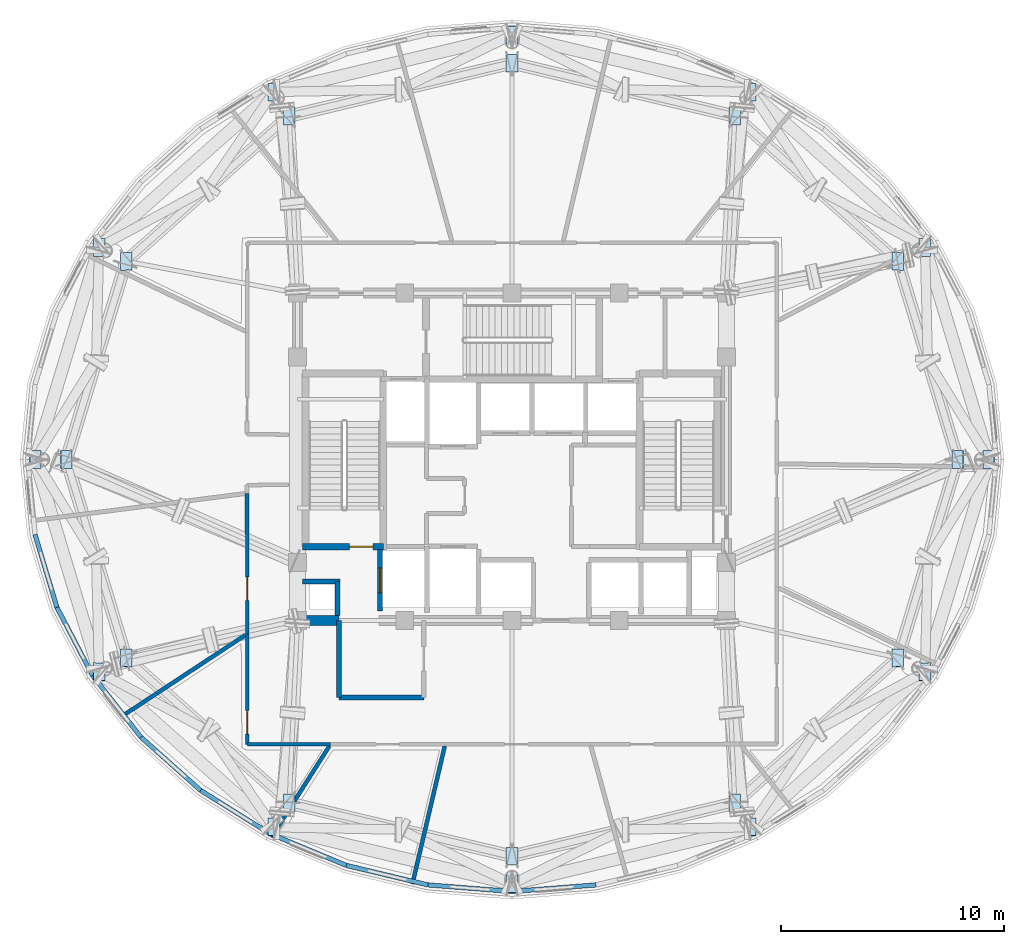
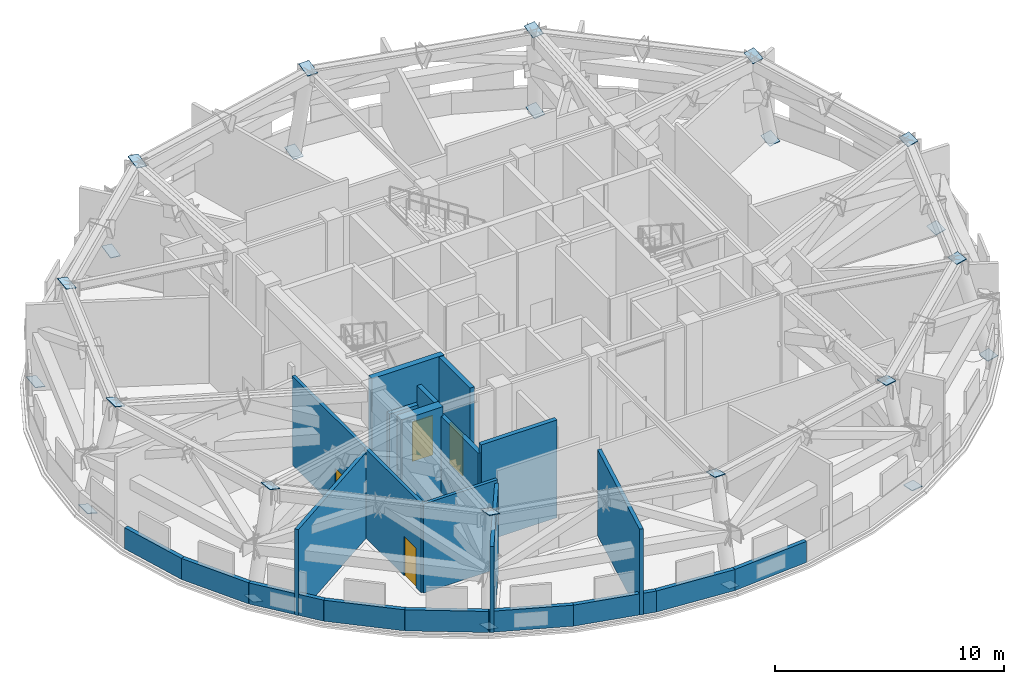
# One storey, part 6 of 13: 24 plates, 22 walls, 4 doors, 4 openings.
"""IFC4 building model written with IfcOpenShell, lengths in metres."""

from ifc_helpers import new_model, si_unit, direction, frame, frame_2d, origin, place, context, subcontext, project, spatial, polyline, rectangle, outline, extrude, material, layer, layer_set, type_object, element, fill, save


model = new_model("IFC4")

# Units and contexts
model_context = context("Model", 3, precision=1e-05, world=origin(), true_north=direction((0.0, 1.0)))
body_context = subcontext(model_context, "Body", "Model", "MODEL_VIEW")
ifc_project = project(units=[si_unit("LENGTHUNIT", "METRE"), si_unit("AREAUNIT", "SQUARE_METRE"), si_unit("VOLUMEUNIT", "CUBIC_METRE"), si_unit("PLANEANGLEUNIT", "RADIAN"), si_unit("MASSUNIT", "GRAM", prefix="KILO")], contexts=[model_context])

# Site, building, storey
site_placement = place(None, origin())
site = spatial("IfcSite", under=ifc_project, at=site_placement, CompositionType="ELEMENT")
building_placement = place(site_placement, origin())
building = spatial("IfcBuilding", under=site, at=building_placement, Name="Vantalir Tower", CompositionType="ELEMENT")
storey_placement = place(building_placement, frame((0.0, 0.0, 253.64990234375)))
storey = spatial("IfcBuildingStorey", under=building, at=storey_placement, Name="L64", CompositionType="ELEMENT", Elevation=253.64990234375)

# Plates
ifc_material_1 = material(Name="Steel S460", Category="steel")
ifc_layer_1 = layer(ifc_material_1, 0.031982421875)
ifc_layer_set_1 = layer_set([ifc_layer_1], Name="Steel S460")
plate_type = type_object("IfcPlateType", Name="PLT-KN-Z3", PredefinedType="USERDEFINED", material=ifc_layer_set_1)
plate_1_placement = place(storey_placement, frame((51.192626953125, 25.39990234375, 5.176025390625), z_axis=(-0.258743909382, 0.0, 0.965945955713), x_axis=(0.0, -1.0, 0.0)))
element("IfcPlate", 1, at=plate_1_placement, inside=storey, type_object=plate_type, Name="L64 Ring Column Top Cap RC01", ObjectType="FLANGE_PLATE", PredefinedType="USERDEFINED", context=body_context, shape_type="SweptSolid", body=[
    extrude(outline(polyline([(0.0, 0.0), (0.7998046875, 0.0), (0.7998046875, 0.5199020324635019), (0.0, 0.5199020324635019), (0.0, 0.0)])), origin(), (0.0, 0.0, -1.0), 0.031982421875),
])
plate_2_placement = place(storey_placement, frame((52.585205078125, 25.39990234375, -0.01611328125), z_axis=(-0.259181980884, 0.0, 0.965828504852), x_axis=(0.0, -1.0, 0.0)))
element("IfcPlate", 2, at=plate_2_placement, inside=storey, type_object=plate_type, Name="L64 Ring Column Base Cap RC01", ObjectType="FLANGE_PLATE", PredefinedType="USERDEFINED", context=body_context, shape_type="SweptSolid", body=[
    extrude(outline(polyline([(0.0, 0.0), (0.7998046875, 0.0), (0.7998046875, 0.5199652558420297), (0.0, 0.5199652558420297), (0.0, 0.0)])), origin(), (0.0, 0.0, -1.0), 0.031982421875),
])
plate_3_placement = place(storey_placement, frame((48.518310546875, 34.2783203125, 5.23291015625), z_axis=(-0.224858893313, -0.11582437246, 0.967482916047), x_axis=(-2.9216688e-05, -0.992909211842, -0.118875128539)))
element("IfcPlate", 3, at=plate_3_placement, inside=storey, type_object=plate_type, Name="L64 Ring Column Top Cap RC02", ObjectType="FLANGE_PLATE", PredefinedType="USERDEFINED", context=body_context, shape_type="SweptSolid", body=[
    extrude(outline(polyline([(0.0, 0.0), (0.8001191102209301, 0.0), (0.7998646497839679, 0.5199298753326527), (1.6971286763671142e-05, 0.5198819010440692), (0.0, 0.0)])), origin(), (0.0, 0.0, -1.0), 0.031982421875),
])
plate_4_placement = place(storey_placement, frame((49.724853515625, 34.89990234375, 0.040771484375), z_axis=(-0.224885391967, -0.115841196515, 0.967474742652), x_axis=(3.3205013e-05, -0.992908767702, -0.118878837129)))
element("IfcPlate", 4, at=plate_4_placement, inside=storey, type_object=plate_type, Name="L64 Ring Column Base Cap RC02", ObjectType="FLANGE_PLATE", PredefinedType="USERDEFINED", context=body_context, shape_type="SweptSolid", body=[
    extrude(outline(polyline([(0.0, 0.0), (0.7998476779734043, -3.469446951953614e-18), (0.7998958353278387, 0.5198818960712485), (1.9134200838389834e-05, 0.5199364113358776), (0.0, 0.0)])), origin(), (0.0, 0.0, -1.0), 0.031982421875),
])
plate_5_placement = place(storey_placement, frame((41.214111328125, 40.768798828125, 5.29150390625), z_axis=(-0.130413626817, -0.201505550307, 0.970766603843), x_axis=(4.009155e-06, -0.97912878877, -0.203240780815)))
element("IfcPlate", 5, at=plate_5_placement, inside=storey, type_object=plate_type, Name="L64 Ring Column Top Cap RC03", ObjectType="FLANGE_PLATE", PredefinedType="USERDEFINED", context=body_context, shape_type="SweptSolid", body=[
    extrude(outline(polyline([(0.0, 0.0), (0.800142246871285, -3.469446951953614e-18), (0.8000343823997885, 0.5200633024837263), (0.00013118064294928566, 0.5200697725704914), (0.0, 0.0)])), origin(), (0.0, 0.0, -1.0), 0.031982421875),
])
plate_6_placement = place(storey_placement, frame((41.910400390625, 41.845947265625, 0.099609375), z_axis=(-0.130248317751, -0.201364925367, 0.970817976016), x_axis=(2.3293636e-05, -0.979159656851, -0.203092013269)))
element("IfcPlate", 6, at=plate_6_placement, inside=storey, type_object=plate_type, Name="L64 Ring Column Base Cap RC03", ObjectType="FLANGE_PLATE", PredefinedType="USERDEFINED", context=body_context, shape_type="SweptSolid", body=[
    extrude(outline(polyline([(0.0, 0.0), (0.8000926581194836, 3.469446951953614e-18), (0.8000546156517947, 0.519790104918768), (0.0001514271718573157, 0.5198276948523207), (0.0, 0.0)])), origin(), (0.0, 0.0, -1.0), 0.031982421875),
])
for number, where, z_axis, x_axis, name in (
    (7, (31.239990234375, 43.137451171875, 5.336669921875), (0.0, -0.232830476178, 0.972517336279), (0.0, -0.972517336279, -0.232830476178), "L64 Ring Column Top Cap RC04"),
    (8, (31.239990234375, 44.380615234375, 0.144775390625), (0.0, -0.232830476178, 0.972517336279), (0.0, -0.972517336279, -0.232830476178), "L64 Ring Column Base Cap RC04"),
):
    element("IfcPlate", number, at=place(storey_placement, frame(where, z_axis=z_axis, x_axis=x_axis)), inside=storey, type_object=plate_type, Name=name, ObjectType="FLANGE_PLATE", PredefinedType="USERDEFINED", context=body_context, shape_type="SweptSolid", body=[
        extrude(outline(polyline([(0.0, 0.0), (0.8000640634873554, 0.0), (0.8000640634873554, 0.52001953125), (0.0, 0.52001953125), (0.0, 0.0)])), origin(), (0.0, 0.0, -1.0), 0.031982421875),
    ])
plate_7_placement = place(storey_placement, frame((21.270263671875, 40.7548828125, 5.35791015625), z_axis=(0.130413626817, -0.201505550307, 0.970766603843), x_axis=(4.010353e-06, -0.979128574378, -0.20324181366)))
element("IfcPlate", 9, at=plate_7_placement, inside=storey, type_object=plate_type, Name="L64 Ring Column Top Cap RC05", ObjectType="FLANGE_PLATE", PredefinedType="USERDEFINED", context=body_context, shape_type="SweptSolid", body=[
    extrude(outline(polyline([(0.0, 0.0), (0.7999032017830062, 0.0), (0.8000152728318486, 0.5200633015942425), (-0.000126974013261694, 0.5200697736145445), (0.0, 0.0)])), origin(), (0.0, 0.0, -1.0), 0.031982421875),
])
plate_8_placement = place(storey_placement, frame((20.57421875, 41.83203125, 0.166015625), z_axis=(0.130248317751, -0.201364925367, 0.970817976016), x_axis=(2.3299153e-05, -0.979158413752, -0.203098006479)))
element("IfcPlate", 10, at=plate_8_placement, inside=storey, type_object=plate_type, Name="L64 Ring Column Base Cap RC05", ObjectType="FLANGE_PLATE", PredefinedType="USERDEFINED", context=body_context, shape_type="SweptSolid", body=[
    extrude(outline(polyline([(0.0, 0.0), (0.7999031893631713, 3.469446951953614e-18), (0.7999656583811371, 0.5197901025570947), (-0.00012699885490352614, 0.5198277013943722), (0.0, 0.0)])), origin(), (0.0, 0.0, -1.0), 0.031982421875),
])
plate_9_placement = place(storey_placement, frame((13.97509765625, 34.264404296875, 5.348876953125), z_axis=(0.224858893313, -0.11582437246, 0.967482916047), x_axis=(-2.9226603e-05, -0.992910815006, -0.118861737286)))
element("IfcPlate", 11, at=plate_9_placement, inside=storey, type_object=plate_type, Name="L64 Ring Column Top Cap RC06", ObjectType="FLANGE_PLATE", PredefinedType="USERDEFINED", context=body_context, shape_type="SweptSolid", body=[
    extrude(outline(polyline([(0.0, 0.0), (0.799847679935936, -6.938893903907228e-18), (0.8000709553524571, 0.5199298896597792), (-4.815342925308143e-05, 0.5198818990910025), (0.0, 0.0)])), origin(), (0.0, 0.0, -1.0), 0.031982421875),
])
plate_10_placement = place(storey_placement, frame((12.7685546875, 34.885986328125, 0.156982421875), z_axis=(0.224885391967, -0.115841196515, 0.967474742652), x_axis=(3.3203808e-05, -0.992906945533, -0.118894055399)))
element("IfcPlate", 12, at=plate_10_placement, inside=storey, type_object=plate_type, Name="L64 Ring Column Base Cap RC06", ObjectType="FLANGE_PLATE", PredefinedType="USERDEFINED", context=body_context, shape_type="SweptSolid", body=[
    extrude(outline(polyline([(0.0, 0.0), (0.7998767029847329, 3.469446951953614e-18), (0.799863977965212, 0.5198818981459549), (1.6301849472974417e-05, 0.5199364114323964), (0.0, 0.0)])), origin(), (0.0, 0.0, -1.0), 0.031982421875),
])
plate_11_placement = place(storey_placement, frame((11.30517578125, 25.39990234375, 5.310546875), z_axis=(0.258743909382, 0.0, 0.965945955713), x_axis=(0.0, -1.0, 0.0)))
element("IfcPlate", 13, at=plate_11_placement, inside=storey, type_object=plate_type, Name="L64 Ring Column Top Cap RC07", ObjectType="FLANGE_PLATE", PredefinedType="USERDEFINED", context=body_context, shape_type="SweptSolid", body=[
    extrude(outline(polyline([(0.0, 0.0), (0.7998046875, 0.0), (0.7998046875, 0.5199020324635019), (0.0, 0.5199020324635019), (0.0, 0.0)])), origin(), (0.0, 0.0, -1.0), 0.031982421875),
])
plate_12_placement = place(storey_placement, frame((9.91259765625, 25.39990234375, 0.11865234375), z_axis=(0.259181980884, 0.0, 0.965828504852), x_axis=(0.0, -1.0, 0.0)))
element("IfcPlate", 14, at=plate_12_placement, inside=storey, type_object=plate_type, Name="L64 Ring Column Base Cap RC07", ObjectType="FLANGE_PLATE", PredefinedType="USERDEFINED", context=body_context, shape_type="SweptSolid", body=[
    extrude(outline(polyline([(0.0, 0.0), (0.7998046875, 0.0), (0.7998046875, 0.5199652558420297), (0.0, 0.5199652558420297), (0.0, 0.0)])), origin(), (0.0, 0.0, -1.0), 0.031982421875),
])
plate_13_placement = place(storey_placement, frame((13.97509765625, 16.52978515625, 5.25390625), z_axis=(0.224858893313, 0.11582437246, 0.967482916047), x_axis=(2.9226603e-05, -0.992910815006, 0.118861737286)))
element("IfcPlate", 15, at=plate_13_placement, inside=storey, type_object=plate_type, Name="L64 Ring Column Top Cap RC08", ObjectType="FLANGE_PLATE", PredefinedType="USERDEFINED", context=body_context, shape_type="SweptSolid", body=[
    extrude(outline(polyline([(0.0, 0.0), (0.799847679935936, 6.938893903907228e-18), (0.7998958333651891, 0.5198818990910024), (-0.00022327541652119448, 0.5199298896597792), (0.0, 0.0)])), origin(), (0.0, 0.0, -1.0), 0.031982421875),
])
plate_14_placement = place(storey_placement, frame((12.7685546875, 15.908203125, 0.061767578125), z_axis=(0.224885391967, 0.115841196515, 0.967474742652), x_axis=(-3.3203808e-05, -0.992906945533, 0.118894055399)))
element("IfcPlate", 16, at=plate_14_placement, inside=storey, type_object=plate_type, Name="L64 Ring Column Base Cap RC08", ObjectType="FLANGE_PLATE", PredefinedType="USERDEFINED", context=body_context, shape_type="SweptSolid", body=[
    extrude(outline(polyline([(0.0, 0.0), (0.7998767029847329, -3.469446951953614e-18), (0.7998604011352599, 0.5199364114323964), (1.2725019520883063e-05, 0.5198818981459549), (0.0, 0.0)])), origin(), (0.0, 0.0, -1.0), 0.031982421875),
])
plate_15_placement = place(storey_placement, frame((21.270263671875, 10.0283203125, 5.1953125), z_axis=(0.130413626817, 0.201505550307, 0.970766603843), x_axis=(-4.010353e-06, -0.979128574378, 0.20324181366)))
element("IfcPlate", 17, at=plate_15_placement, inside=storey, type_object=plate_type, Name="L64 Ring Column Top Cap RC09", ObjectType="FLANGE_PLATE", PredefinedType="USERDEFINED", context=body_context, shape_type="SweptSolid", body=[
    extrude(outline(polyline([(0.0, 0.0), (0.7999032017830062, 0.0), (0.8000301757962679, 0.5200697736145444), (-0.00011207104884237117, 0.5200633015942425), (0.0, 0.0)])), origin(), (0.0, 0.0, -1.0), 0.031982421875),
])
plate_16_placement = place(storey_placement, frame((20.57421875, 8.951171875, 0.00341796875), z_axis=(0.130248317751, 0.201364925367, 0.970817976016), x_axis=(-2.3299153e-05, -0.979158413752, 0.203098006479)))
element("IfcPlate", 18, at=plate_16_placement, inside=storey, type_object=plate_type, Name="L64 Ring Column Base Cap RC09", ObjectType="FLANGE_PLATE", PredefinedType="USERDEFINED", context=body_context, shape_type="SweptSolid", body=[
    extrude(outline(polyline([(0.0, 0.0), (0.7999031893631713, -3.469446951953614e-18), (0.8000301882180747, 0.5198277013943723), (-6.24690179659021e-05, 0.5197901025570947), (0.0, 0.0)])), origin(), (0.0, 0.0, -1.0), 0.031982421875),
])
for number, where, z_axis, x_axis, name in (
    (19, (31.239990234375, 7.640625, 5.150390625), (0.0, 0.232830476178, 0.972517336279), (0.0, -0.972517336279, 0.232830476178), "L64 Ring Column Top Cap RC10"),
    (20, (31.239990234375, 6.3974609375, -0.04150390625), (0.0, 0.232830476178, 0.972517336279), (0.0, -0.972517336279, 0.232830476178), "L64 Ring Column Base Cap RC10"),
):
    element("IfcPlate", number, at=place(storey_placement, frame(where, z_axis=z_axis, x_axis=x_axis)), inside=storey, type_object=plate_type, Name=name, ObjectType="FLANGE_PLATE", PredefinedType="USERDEFINED", context=body_context, shape_type="SweptSolid", body=[
        extrude(outline(polyline([(0.0, 0.0), (0.8000640634873554, 0.0), (0.8000640634873554, 0.52001953125), (0.0, 0.52001953125), (0.0, 0.0)])), origin(), (0.0, 0.0, -1.0), 0.031982421875),
    ])
plate_17_placement = place(storey_placement, frame((41.214111328125, 10.0146484375, 5.12890625), z_axis=(-0.130413626817, 0.201505550307, 0.970766603843), x_axis=(-4.009155e-06, -0.97912878877, 0.203240780815)))
element("IfcPlate", 21, at=plate_17_placement, inside=storey, type_object=plate_type, Name="L64 Ring Column Top Cap RC11", ObjectType="FLANGE_PLATE", PredefinedType="USERDEFINED", context=body_context, shape_type="SweptSolid", body=[
    extrude(outline(polyline([(0.0, 0.0), (0.800142246871285, 3.469446951953614e-18), (0.8000110662283357, 0.5200697725704914), (0.00010786447149646085, 0.5200633024837263), (0.0, 0.0)])), origin(), (0.0, 0.0, -1.0), 0.031982421875),
])
plate_18_placement = place(storey_placement, frame((41.910400390625, 8.9375, -0.062744140625), z_axis=(-0.130248317751, 0.201364925367, 0.970817976016), x_axis=(-2.3293636e-05, -0.979159656851, 0.203092013269)))
element("IfcPlate", 22, at=plate_18_placement, inside=storey, type_object=plate_type, Name="L64 Ring Column Base Cap RC11", ObjectType="FLANGE_PLATE", PredefinedType="USERDEFINED", context=body_context, shape_type="SweptSolid", body=[
    extrude(outline(polyline([(0.0, 0.0), (0.8000926581194836, -3.469446951953614e-18), (0.7999412309476264, 0.5198276948523207), (3.80424676889677e-05, 0.519790104918768), (0.0, 0.0)])), origin(), (0.0, 0.0, -1.0), 0.031982421875),
])
plate_19_placement = place(storey_placement, frame((48.518310546875, 16.51611328125, 5.1376953125), z_axis=(-0.224858893313, 0.11582437246, 0.967482916047), x_axis=(2.9216688e-05, -0.992909211842, 0.118875128539)))
element("IfcPlate", 23, at=plate_19_placement, inside=storey, type_object=plate_type, Name="L64 Ring Column Top Cap RC12", ObjectType="FLANGE_PLATE", PredefinedType="USERDEFINED", context=body_context, shape_type="SweptSolid", body=[
    extrude(outline(polyline([(0.0, 0.0), (0.8001191102209301, 0.0), (0.8001021389341665, 0.5198819010440692), (0.00025446043696216933, 0.5199298753326527), (0.0, 0.0)])), origin(), (0.0, 0.0, -1.0), 0.031982421875),
])
plate_20_placement = place(storey_placement, frame((49.724853515625, 15.894287109375, -0.05419921875), z_axis=(-0.224885391967, 0.115841196515, 0.967474742652), x_axis=(-3.3205013e-05, -0.992908767702, 0.118878837129)))
element("IfcPlate", 24, at=plate_20_placement, inside=storey, type_object=plate_type, Name="L64 Ring Column Base Cap RC12", ObjectType="FLANGE_PLATE", PredefinedType="USERDEFINED", context=body_context, shape_type="SweptSolid", body=[
    extrude(outline(polyline([(0.0, 0.0), (0.7998476779734043, 3.469446951953614e-18), (0.799828543772566, 0.5199364113358776), (-4.8157354434422844e-05, 0.5198818960712485), (0.0, 0.0)])), origin(), (0.0, 0.0, -1.0), 0.031982421875),
])

# Walls
ifc_material_2 = material(Name="Concrete C50/60", Category="concrete")
ifc_layer_2 = layer(ifc_material_2, 0.449951171875)
ifc_layer_set_2 = layer_set([ifc_layer_2], Name="Concrete C50/60")
wall_type_1 = type_object("IfcWallType", Name="WL-CORE-450", PredefinedType="SHEAR", material=ifc_layer_set_2)
wall_1_placement = place(storey_placement, frame((21.675048828125, 17.800048828125, 0.0), z_axis=(0.0, 0.0, 1.0), x_axis=(1.0, 0.0, 0.0)))
element("IfcWall", 25, at=wall_1_placement, inside=storey, type_object=wall_type_1, Name="L64 Core Shear Wall South-West", PredefinedType="SHEAR", context=body_context, shape_type="SweptSolid", body=[
    extrude(rectangle(XDim=2.074951171875, YDim=0.449951171875, at=frame_2d((1.03759765625, 0.0))), origin(), (0.0, 0.0, 1.0), 5.22021484375),
])
ifc_material_3 = material(Name="Fire-rated hotel corridor acoustic partition", Category="gypsum")
ifc_layer_3 = layer(ifc_material_3, 0.159912109375)
ifc_layer_set_3 = layer_set([ifc_layer_3], Name="Fire-rated hotel corridor acoustic partition")
wall_type_2 = type_object("IfcWallType", Name="WL-CORR-160", PredefinedType="PARTITIONING", material=ifc_layer_set_3)
wall_2_placement = place(storey_placement, frame((23.3779296875, 12.258056640625, 0.0), z_axis=(0.0, 0.0, 1.0), x_axis=(-0.999999965632, -0.00026217473, 0.0)))
element("IfcWall", 26, at=wall_2_placement, inside=storey, type_object=wall_type_2, Name="L64 Corridor Partition 17", PredefinedType="PARTITIONING", context=body_context, shape_type="SweptSolid", body=[
    extrude(rectangle(XDim=3.724853515625, YDim=0.159912109375, at=frame_2d((1.8623046875, 0.0))), origin(), (0.0, 0.0, 1.0), 4.733154296875),
])

# Wall, opening, door
wall_3_placement = place(storey_placement, frame((19.653076171875, 12.257080078125, 0.0), z_axis=(0.0, 0.0, 1.0), x_axis=(-0.001630271522, 0.999998671106, 0.0)))
wall_3 = element("IfcWall", 27, at=wall_3_placement, inside=storey, type_object=wall_type_2, Name="L64 Corridor Partition 18", PredefinedType="PARTITIONING", context=body_context, shape_type="SweptSolid", body=[
    extrude(rectangle(XDim=4.94189453125, YDim=0.159912109375, at=frame_2d((2.470947265625, 0.0))), origin(), (0.0, 0.0, 1.0), 4.733154296875),
])
opening_1_placement = place(wall_3_placement, frame((0.4580078125, 0.0, 0.0)))
opening_1 = element("IfcOpeningElement", 28, at=opening_1_placement, cuts=wall_3, Name="Opening D-ST", PredefinedType="OPENING", context=body_context, shape_type="SweptSolid", body=[
    extrude(rectangle(XDim=1.050048828125, YDim=2.10009765625, at=frame_2d((0.52490234375, 1.050048828125))), frame((0.0, 0.08984375, 0.0), z_axis=(0.0, -1.0, 0.0), x_axis=(1.0, 0.0, 0.0)), (0.0, 0.0, 1.0), 0.179931640625),
])
ifc_material_4 = material(Name="Fire-rated steel door leaf", Category="steel")
door_type_1 = type_object("IfcDoorType", Name="DR-FIRE-STAIR-1050", OperationType="NOTDEFINED", PredefinedType="DOOR", material=ifc_material_4)
door_1_placement = place(opening_1_placement, origin())
door_1 = element("IfcDoor", 29, at=door_1_placement, inside=storey, type_object=door_type_1, Name="L64 HV Transformer Electrical Plant Room Door", OperationType="SINGLE_SWING_LEFT", OverallHeight=2.10009765625, OverallWidth=1.050048828125, PredefinedType="DOOR", context=body_context, shape_type="SweptSolid", body=[
    extrude(rectangle(XDim=1.050048828125, YDim=2.10009765625, at=frame_2d((0.52490234375, 1.050048828125))), frame((0.0, 0.02490234375, 0.0), z_axis=(0.0, -1.0, 0.0), x_axis=(1.0, 0.0, 0.0)), (0.0, 0.0, 1.0), 0.050048828125),
])
fill(opening_1, door_1)

wall_4_placement = place(storey_placement, frame((19.64501953125, 17.198974609375, 0.0), z_axis=(0.0, 0.0, 1.0), x_axis=(-0.001435887995, 0.999998969112, 0.0)))
wall_4 = element("IfcWall", 30, at=wall_4_placement, inside=storey, type_object=wall_type_2, Name="L64 Corridor Partition 19", PredefinedType="PARTITIONING", context=body_context, shape_type="SweptSolid", body=[
    extrude(rectangle(XDim=6.291015625, YDim=0.159912109375, at=frame_2d((3.1455078125, 0.0))), origin(), (0.0, 0.0, 1.0), 4.733154296875),
])
opening_2_placement = place(wall_4_placement, frame((1.501953125, 0.0, 0.0)))
opening_2 = element("IfcOpeningElement", 31, at=opening_2_placement, cuts=wall_4, Name="Opening D-ST", PredefinedType="OPENING", context=body_context, shape_type="SweptSolid", body=[
    extrude(rectangle(XDim=1.050048828125, YDim=2.10009765625, at=frame_2d((0.52490234375, 1.050048828125))), frame((0.0, 0.08984375, 0.0), z_axis=(0.0, -1.0, 0.0), x_axis=(1.0, 0.0, 0.0)), (0.0, 0.0, 1.0), 0.179931640625),
])
door_2_placement = place(opening_2_placement, origin())
door_2 = element("IfcDoor", 32, at=door_2_placement, inside=storey, type_object=door_type_1, Name="L64 West Air Handling Plant Room Door", OperationType="SINGLE_SWING_RIGHT", OverallHeight=2.10009765625, OverallWidth=1.050048828125, PredefinedType="DOOR", context=body_context, shape_type="SweptSolid", body=[
    extrude(rectangle(XDim=1.050048828125, YDim=2.10009765625, at=frame_2d((0.52490234375, 1.050048828125))), frame((0.0, 0.02490234375, 0.0), z_axis=(0.0, -1.0, 0.0), x_axis=(1.0, 0.0, 0.0)), (0.0, 0.0, 1.0), 0.050048828125),
])
fill(opening_2, door_2)

# Walls
ifc_material_5 = material(Name="Concrete blockwork with fireboard lining", Category="masonry")
ifc_layer_4 = layer(ifc_material_5, 0.219970703125)
ifc_layer_set_4 = layer_set([ifc_layer_4], Name="Concrete blockwork with fireboard lining")
wall_type_3 = type_object("IfcWallType", Name="WL-FFL-220", PredefinedType="PARTITIONING", material=ifc_layer_set_4)
wall_5_placement = place(storey_placement, frame((23.679931640625, 18.02490234375, 0.0), z_axis=(0.0, 0.0, 1.0), x_axis=(0.0, 1.0, 0.0)))
element("IfcWall", 33, at=wall_5_placement, inside=storey, type_object=wall_type_3, Name="L64 West MEP Riser Wall E", PredefinedType="PARTITIONING", context=body_context, shape_type="SweptSolid", body=[
    extrude(rectangle(XDim=1.525146484375, YDim=0.219970703125, at=frame_2d((0.7626953125, 0.0))), origin(), (0.0, 0.0, 1.0), 5.2001953125),
])
wall_6_placement = place(storey_placement, frame((22.125, 19.550048828125, 0.0), z_axis=(0.0, 0.0, 1.0), x_axis=(1.0, 0.0, 0.0)))
element("IfcWall", 34, at=wall_6_placement, inside=storey, type_object=wall_type_3, Name="L64 West MEP Riser Wall N", PredefinedType="PARTITIONING", context=body_context, shape_type="SweptSolid", body=[
    extrude(rectangle(XDim=1.6650390625, YDim=0.219970703125, at=frame_2d((0.83251953125, 0.0))), origin(), (0.0, 0.0, 1.0), 4.2451171875),
])

# Wall, opening, door
wall_7_placement = place(storey_placement, frame((25.590087890625, 18.219970703125, 0.0), z_axis=(0.0, 0.0, 1.0), x_axis=(0.0, 1.0, 0.0)))
wall_7 = element("IfcWall", 35, at=wall_7_placement, inside=storey, type_object=wall_type_3, Name="L64 Lift FL1 Shaft Front Wall", PredefinedType="PARTITIONING", context=body_context, shape_type="SweptSolid", body=[
    extrude(rectangle(XDim=2.760009765625, YDim=0.219970703125, at=frame_2d((1.3798828125, 0.0))), origin(), (0.0, 0.0, 1.0), 5.2001953125),
])
opening_3_placement = place(wall_7_placement, frame((0.830078125, 0.0, 0.0)))
opening_3 = element("IfcOpeningElement", 36, at=opening_3_placement, cuts=wall_7, Name="Opening LD-FL1", PredefinedType="OPENING", context=body_context, shape_type="SweptSolid", body=[
    extrude(rectangle(XDim=1.10009765625, YDim=2.199951171875, at=frame_2d((0.550048828125, 1.10009765625))), frame((0.0, 0.119873046875, 0.0), z_axis=(0.0, -1.0, 0.0), x_axis=(1.0, 0.0, 0.0)), (0.0, 0.0, 1.0), 0.239990234375),
])
ifc_material_6 = material(Name="Brushed stainless-steel sliding lift landing door", Category="steel")
door_type_2 = type_object("IfcDoorType", Name="DR-LIFT-LANDING-1100", OperationType="DOUBLE_DOOR_SLIDING", PredefinedType="DOOR", material=ifc_material_6)
door_3_placement = place(opening_3_placement, origin())
door_3 = element("IfcDoor", 37, at=door_3_placement, inside=storey, type_object=door_type_2, Name="L64 Lift Landing Door FL1", OperationType="DOUBLE_DOOR_SLIDING", OverallHeight=2.199951171875, OverallWidth=1.10009765625, PredefinedType="DOOR", context=body_context, shape_type="SweptSolid", body=[
    extrude(rectangle(XDim=1.10009765625, YDim=2.199951171875, at=frame_2d((0.550048828125, 1.10009765625))), frame((0.0, 0.02490234375, 0.0), z_axis=(0.0, -1.0, 0.0), x_axis=(1.0, 0.0, 0.0)), (0.0, 0.0, 1.0), 0.050048828125),
])
fill(opening_3, door_3)

# Walls
wall_8_placement = place(storey_placement, frame((23.75, 14.35009765625, 0.0), z_axis=(0.0, 0.0, 1.0), x_axis=(0.0, 1.0, 0.0)))
element("IfcWall", 38, at=wall_8_placement, inside=storey, type_object=wall_type_3, Name="L64 Firefighting Lobby West Outer W", PredefinedType="PARTITIONING", context=body_context, shape_type="SweptSolid", body=[
    extrude(rectangle(XDim=3.449951171875, YDim=0.219970703125, at=frame_2d((1.72509765625, 0.0))), origin(), (0.0, 0.0, 1.0), 4.733154296875),
])
wall_9_placement = place(storey_placement, frame((23.75, 14.35009765625, 0.0), z_axis=(0.0, 0.0, 1.0), x_axis=(1.0, 0.0, 0.0)))
element("IfcWall", 39, at=wall_9_placement, inside=storey, type_object=wall_type_3, Name="L64 Firefighting Lobby West South Wall", PredefinedType="PARTITIONING", context=body_context, shape_type="SweptSolid", body=[
    extrude(rectangle(XDim=3.800048828125, YDim=0.219970703125, at=frame_2d((1.89990234375, 0.0))), origin(), (0.0, 0.0, 1.0), 5.2001953125),
])
ifc_material_7 = material(Name="Twin-stud acoustic fire-rated gypsum partition", Category="gypsum")
ifc_layer_5 = layer(ifc_material_7, 0.179931640625)
ifc_layer_set_5 = layer_set([ifc_layer_5], Name="Twin-stud acoustic fire-rated gypsum partition")
wall_type_4 = type_object("IfcWallType", Name="WL-GUEST-180", PredefinedType="PARTITIONING", material=ifc_layer_set_5)
wall_10_placement = place(storey_placement, frame((19.56005859375, 17.14306640625, 0.0), z_axis=(0.0, 0.0, 1.0), x_axis=(-0.835329937022, -0.549748939349, 0.0)))
element("IfcWall", 40, at=wall_10_placement, inside=storey, type_object=wall_type_4, Name="L64 Radial Suite Partition 09", PredefinedType="PARTITIONING", context=body_context, shape_type="SweptSolid", body=[
    extrude(rectangle(XDim=6.6357421875, YDim=0.179931640625, at=frame_2d((3.31787109375, 0.0))), origin(), (0.0, 0.0, 1.0), 4.5751953125),
])
wall_11_placement = place(storey_placement, frame((23.324951171875, 12.175048828125, 0.0), z_axis=(0.0, 0.0, 1.0), x_axis=(-0.537431147311, -0.843307631829, 0.0)))
element("IfcWall", 41, at=wall_11_placement, inside=storey, type_object=wall_type_4, Name="L64 Radial Suite Partition 10", PredefinedType="PARTITIONING", context=body_context, shape_type="SweptSolid", body=[
    extrude(rectangle(XDim=4.83203125, YDim=0.179931640625, at=frame_2d((2.416015625, 0.0))), origin(), (0.0, 0.0, 1.0), 4.5751953125),
])
wall_12_placement = place(storey_placement, frame((28.489990234375, 12.175048828125, 0.0), z_axis=(0.0, 0.0, 1.0), x_axis=(-0.22840178913, -0.97356695852, 0.0)))
element("IfcWall", 42, at=wall_12_placement, inside=storey, type_object=wall_type_4, Name="L64 Radial Suite Partition 11", PredefinedType="PARTITIONING", context=body_context, shape_type="SweptSolid", body=[
    extrude(rectangle(XDim=6.339599609375, YDim=0.179931640625, at=frame_2d((3.169921875, 0.0))), origin(), (0.0, 0.0, 1.0), 4.5751953125),
])
ifc_material_8 = material(Name="Concrete C40/50 parapet upstand", Category="concrete")
ifc_layer_6 = layer(ifc_material_8, 0.199951171875)
ifc_layer_set_6 = layer_set([ifc_layer_6], Name="Concrete C40/50 parapet upstand")
wall_type_5 = type_object("IfcWallType", Name="WL-PARA-200", PredefinedType="PARAPET", material=ifc_layer_set_6)
wall_13_placement = place(storey_placement, frame((10.14892578125, 21.64306640625, 0.0), z_axis=(0.0, 0.0, 1.0), x_axis=(0.287670684646, -0.957729386202, 0.0)))
element("IfcWall", 43, at=wall_13_placement, inside=storey, type_object=wall_type_5, Name="L64 Refuge Perimeter Parapet R20", PredefinedType="PARAPET", context=body_context, shape_type="SweptSolid", body=[
    extrude(rectangle(XDim=3.39990234375, YDim=0.199951171875, at=frame_2d((1.699951171875, 0.0))), origin(), (0.0, 0.0, 1.0), 1.1201171875),
])
wall_14_placement = place(storey_placement, frame((11.126953125, 18.386962890625, 0.0), z_axis=(0.0, 0.0, 1.0), x_axis=(0.463654949237, -0.886015850901, 0.0)))
element("IfcWall", 44, at=wall_14_placement, inside=storey, type_object=wall_type_5, Name="L64 Refuge Perimeter Parapet R21", PredefinedType="PARAPET", context=body_context, shape_type="SweptSolid", body=[
    extrude(rectangle(XDim=3.44677734375, YDim=0.199951171875, at=frame_2d((1.723388671875, 0.0))), origin(), (0.0, 0.0, 1.0), 1.1201171875),
])
wall_15_placement = place(storey_placement, frame((12.72509765625, 15.3330078125, 0.0), z_axis=(0.0, 0.0, 1.0), x_axis=(0.617406744437, -0.786644082113, 0.0)))
element("IfcWall", 45, at=wall_15_placement, inside=storey, type_object=wall_type_5, Name="L64 Refuge Perimeter Parapet R22", PredefinedType="PARAPET", context=body_context, shape_type="SweptSolid", body=[
    extrude(rectangle(XDim=3.509765625, YDim=0.199951171875, at=frame_2d((1.7548828125, 0.0))), origin(), (0.0, 0.0, 1.0), 1.1201171875),
])
wall_16_placement = place(storey_placement, frame((14.89208984375, 12.572021484375, 0.0), z_axis=(0.0, 0.0, 1.0), x_axis=(0.74629085689, -0.665619979359, 0.0)))
element("IfcWall", 46, at=wall_16_placement, inside=storey, type_object=wall_type_5, Name="L64 Refuge Perimeter Parapet R23", PredefinedType="PARAPET", context=body_context, shape_type="SweptSolid", body=[
    extrude(rectangle(XDim=3.580322265625, YDim=0.199951171875, at=frame_2d((1.7900390625, 0.0))), origin(), (0.0, 0.0, 1.0), 1.1201171875),
])
wall_17_placement = place(storey_placement, frame((17.56396484375, 10.18896484375, 0.0), z_axis=(0.0, 0.0, 1.0), x_axis=(0.84825750298, -0.529583995828, 0.0)))
element("IfcWall", 47, at=wall_17_placement, inside=storey, type_object=wall_type_5, Name="L64 Refuge Perimeter Parapet R24", PredefinedType="PARAPET", context=body_context, shape_type="SweptSolid", body=[
    extrude(rectangle(XDim=3.649658203125, YDim=0.199951171875, at=frame_2d((1.82470703125, 0.0))), origin(), (0.0, 0.0, 1.0), 1.1201171875),
])
wall_18_placement = place(storey_placement, frame((20.659912109375, 8.256103515625, 0.0), z_axis=(0.0, 0.0, 1.0), x_axis=(0.92336680677, -0.383918923935, 0.0)))
element("IfcWall", 48, at=wall_18_placement, inside=storey, type_object=wall_type_5, Name="L64 Refuge Perimeter Parapet R25", PredefinedType="PARAPET", context=body_context, shape_type="SweptSolid", body=[
    extrude(rectangle(XDim=3.709228515625, YDim=0.199951171875, at=frame_2d((1.8544921875, 0.0))), origin(), (0.0, 0.0, 1.0), 1.1201171875),
])
wall_19_placement = place(storey_placement, frame((24.0849609375, 6.83203125, 0.0), z_axis=(0.0, 0.0, 1.0), x_axis=(0.972626535049, -0.23237388691, 0.0)))
element("IfcWall", 49, at=wall_19_placement, inside=storey, type_object=wall_type_5, Name="L64 Refuge Perimeter Parapet R26", PredefinedType="PARAPET", context=body_context, shape_type="SweptSolid", body=[
    extrude(rectangle(XDim=3.7529296875, YDim=0.199951171875, at=frame_2d((1.87646484375, 0.0))), origin(), (0.0, 0.0, 1.0), 1.1201171875),
])
for number, where, z_axis, x_axis, name in (
    (50, (27.735107421875, 5.9599609375, 0.0), (0.0, 0.0, 1.0), (0.996965983674, -0.077838469901, 0.0), "L64 Refuge Perimeter Parapet R27"),
    (51, (31.5, 5.666015625, 0.0), (0.0, 0.0, 1.0), (0.996965983674, 0.077838469901, 0.0), "L64 Refuge Perimeter Parapet R28"),
):
    element("IfcWall", number, at=place(storey_placement, frame(where, z_axis=z_axis, x_axis=x_axis)), inside=storey, type_object=wall_type_5, Name=name, PredefinedType="PARAPET", context=body_context, shape_type="SweptSolid", body=[
        extrude(rectangle(XDim=3.7763671875, YDim=0.199951171875, at=frame_2d((1.88818359375, 0.0))), origin(), (0.0, 0.0, 1.0), 1.1201171875),
    ])

# Wall, opening, door
ifc_layer_7 = layer(ifc_material_2, 0.300048828125)
ifc_layer_set_7 = layer_set([ifc_layer_7], Name="Concrete C50/60")
wall_type_6 = type_object("IfcWallType", Name="WL-STAIR-300", PredefinedType="SHEAR", material=ifc_layer_set_7)
wall_20_placement = place(storey_placement, frame((22.125, 21.10009765625, 0.0), z_axis=(0.0, 0.0, 1.0), x_axis=(1.0, 0.0, 0.0)))
wall_20 = element("IfcWall", 52, at=wall_20_placement, inside=storey, type_object=wall_type_6, Name="L64 Stair ST1 South Wall", PredefinedType="SHEAR", context=body_context, shape_type="SweptSolid", body=[
    extrude(rectangle(XDim=3.614990234375, YDim=0.300048828125, at=frame_2d((1.8076171875, 0.0))), origin(), (0.0, 0.0, 1.0), 5.22021484375),
])
opening_4_placement = place(wall_20_placement, frame((2.094970703125, 0.0, 0.0)))
opening_4 = element("IfcOpeningElement", 53, at=opening_4_placement, cuts=wall_20, Name="Opening D-ST", PredefinedType="OPENING", context=body_context, shape_type="SweptSolid", body=[
    extrude(rectangle(XDim=1.050048828125, YDim=2.10009765625, at=frame_2d((0.52490234375, 1.050048828125))), frame((0.0, 0.159912109375, 0.0), z_axis=(0.0, -1.0, 0.0), x_axis=(1.0, 0.0, 0.0)), (0.0, 0.0, 1.0), 0.320068359375),
])
door_4_placement = place(opening_4_placement, origin())
door_4 = element("IfcDoor", 54, at=door_4_placement, inside=storey, type_object=door_type_1, Name="L64 Exit Stair ST1 Fire Door", OperationType="SINGLE_SWING_LEFT", OverallHeight=2.10009765625, OverallWidth=1.050048828125, PredefinedType="DOOR", context=body_context, shape_type="SweptSolid", body=[
    extrude(rectangle(XDim=1.050048828125, YDim=2.10009765625, at=frame_2d((0.52490234375, 1.050048828125))), frame((0.0, 0.02490234375, 0.0), z_axis=(0.0, -1.0, 0.0), x_axis=(1.0, 0.0, 0.0)), (0.0, 0.0, 1.0), 0.050048828125),
])
fill(opening_4, door_4)

save(model, "model.ifc")
